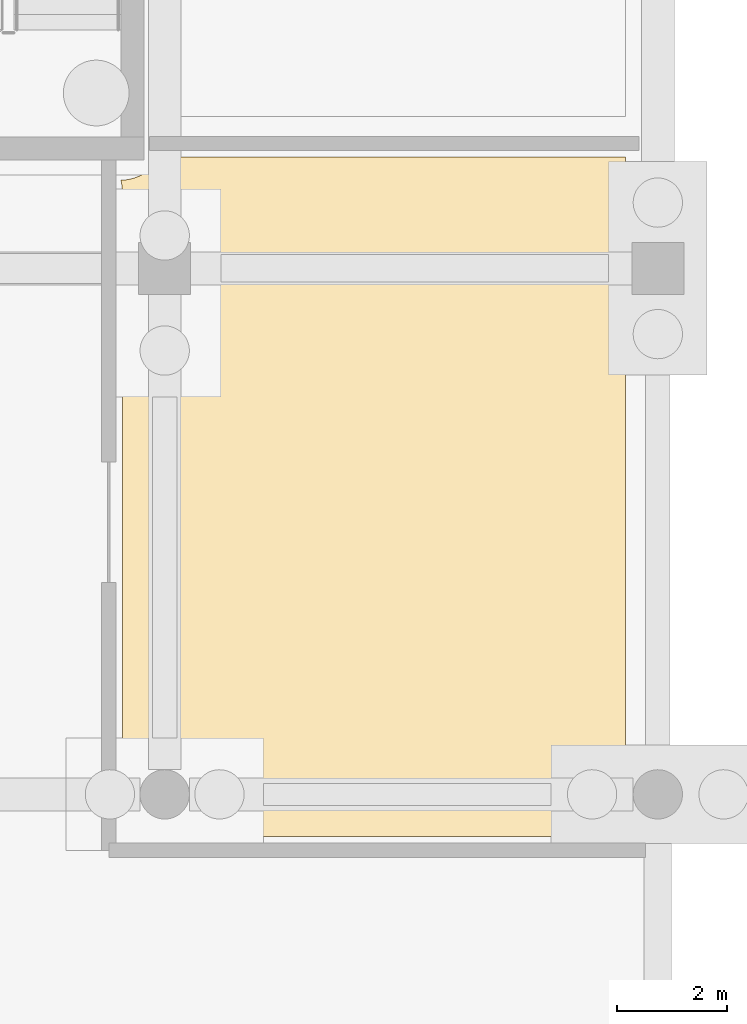
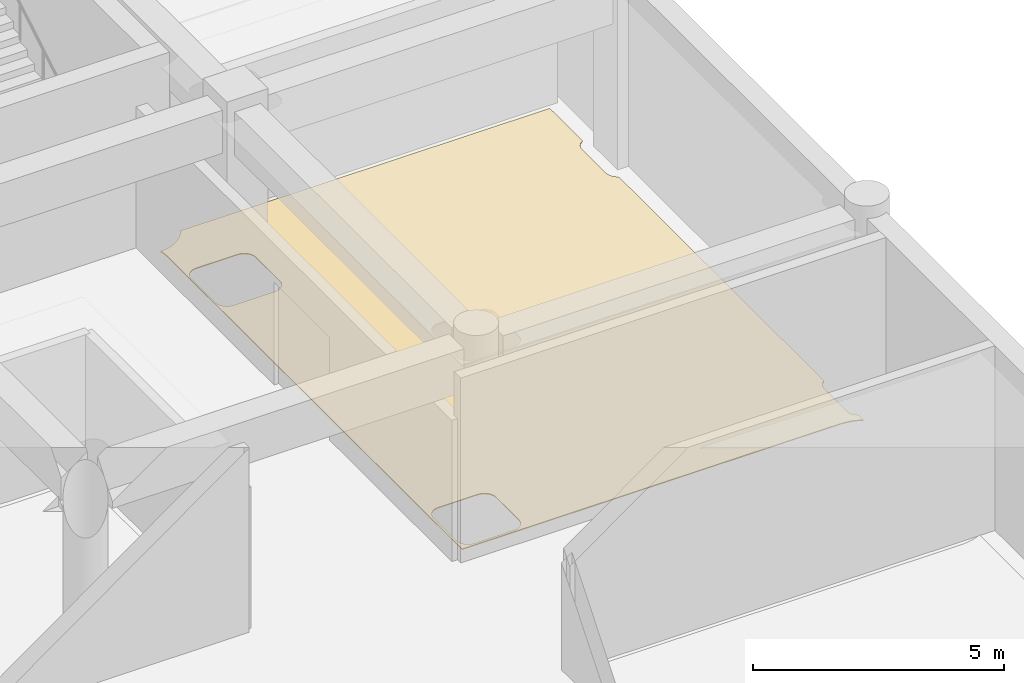
# One storey, part 45 of 47: 1 covering.
"""IFC4 building model written with IfcOpenShell, lengths in metres."""

from ifc_helpers import new_model, si_unit, direction, frame, origin, place, context, subcontext, project, spatial, polyline, outline, extrude, material, layer, layer_set, type_object, element, save


model = new_model("IFC4")

# Units and contexts
model_context = context("Model", 3, precision=1e-05, world=origin(), true_north=direction((0.0, 1.0)))
body_context = subcontext(model_context, "Body", "Model", "MODEL_VIEW")
ifc_project = project(units=[si_unit("LENGTHUNIT", "METRE"), si_unit("AREAUNIT", "SQUARE_METRE"), si_unit("VOLUMEUNIT", "CUBIC_METRE"), si_unit("PLANEANGLEUNIT", "RADIAN"), si_unit("MASSUNIT", "GRAM", prefix="KILO")], contexts=[model_context])

# Site, building, storey
site_placement = place(None, origin())
site = spatial("IfcSite", under=ifc_project, at=site_placement, CompositionType="ELEMENT")
building_placement = place(site_placement, origin())
building = spatial("IfcBuilding", under=site, at=building_placement, Name="Cendralis Terraced Arcade", CompositionType="ELEMENT")
storey_placement = place(building_placement, frame((0.0, 0.0, -4.800048828125)))
storey = spatial("IfcBuildingStorey", under=building, at=storey_placement, Name="B1", CompositionType="ELEMENT", Elevation=-4.800048828125)

# Covering
ifc_material = material(Name="Warm Andean oak timber", Category="wood")
ifc_layer = layer(ifc_material, 0.02197265625, Name="COV-FLR-OAK-22")
ifc_layer_set = layer_set([ifc_layer], Name="Warm Andean oak timber")
covering_type = type_object("IfcCoveringType", Name="COV-FLR-OAK-22", PredefinedType="FLOORING", material=ifc_layer_set)
covering_placement = place(storey_placement, origin())
element("IfcCovering", 1, at=covering_placement, inside=storey, type_object=covering_type, Name="Interior Finish Flooring B1-015", PredefinedType="FLOORING", context=body_context, shape_type="SweptSolid", body=[
    extrude(outline(polyline([(156.406005859375, 71.210205078125), (156.412109375, 71.210205078125), (156.418212890625, 71.21044921875), (156.459228515625, 71.21240234375), (156.4716796875, 71.21337890625), (156.4833984375, 71.214599609375), (156.49560546875, 71.216064453125), (156.5361328125, 71.22216796875), (156.54833984375, 71.22412109375), (156.559814453125, 71.2265625), (156.57177734375, 71.229248046875), (156.61181640625, 71.2392578125), (156.62353515625, 71.242431640625), (156.635009765625, 71.245849609375), (156.646484375, 71.249755859375), (156.685302734375, 71.263671875), (156.69677734375, 71.26806640625), (156.707763671875, 71.2724609375), (156.718994140625, 71.277587890625), (156.756103515625, 71.295166015625), (156.76708984375, 71.300537109375), (156.777587890625, 71.30615234375), (156.7880859375, 71.312255859375), (156.823486328125, 71.33349609375), (156.833984375, 71.340087890625), (156.84375, 71.346435546875), (156.853759765625, 71.353515625), (156.886962890625, 71.378173828125), (156.896484375, 71.3857421875), (156.905517578125, 71.393310546875), (156.914794921875, 71.401123046875), (156.945556640625, 71.428955078125), (156.954345703125, 71.437255859375), (156.962646484375, 71.44580078125), (156.97119140625, 71.45458984375), (156.998779296875, 71.485107421875), (157.0068359375, 71.494384765625), (157.014404296875, 71.50341796875), (157.02197265625, 71.51318359375), (157.04638671875, 71.54638671875), (157.053466796875, 71.556396484375), (157.06005859375, 71.566162109375), (157.066650390625, 71.576416015625), (157.087890625, 71.61181640625), (157.09375, 71.62255859375), (157.097900390625, 71.6298828125), (165.610107421875, 71.6298828125), (165.610107421875, 70.3193359375), (165.608642578125, 70.318603515625), (165.5869140625, 70.30712890625), (165.58544921875, 70.30615234375), (165.56494140625, 70.29248046875), (165.5634765625, 70.291259765625), (165.54443359375, 70.275634765625), (165.54296875, 70.2744140625), (165.525634765625, 70.257080078125), (165.5244140625, 70.255615234375), (165.5087890625, 70.236572265625), (165.507568359375, 70.235107421875), (165.493896484375, 70.214599609375), (165.492919921875, 70.212890625), (165.4814453125, 70.19140625), (165.48046875, 70.189453125), (165.47119140625, 70.1669921875), (165.470458984375, 70.1650390625), (165.46337890625, 70.1416015625), (165.462890625, 70.1396484375), (165.4580078125, 70.115478515625), (165.457763671875, 70.113525390625), (165.455322265625, 70.089111328125), (165.455322265625, 70.08740234375), (165.455078125, 70.074951171875), (165.455078125, 69.125), (165.455322265625, 69.11279296875), (165.455322265625, 69.11083984375), (165.457763671875, 69.08642578125), (165.4580078125, 69.08447265625), (165.462890625, 69.060302734375), (165.46337890625, 69.058349609375), (165.470458984375, 69.034912109375), (165.47119140625, 69.033203125), (165.48046875, 69.010498046875), (165.4814453125, 69.0087890625), (165.492919921875, 68.987060546875), (165.493896484375, 68.9853515625), (165.507568359375, 68.965087890625), (165.5087890625, 68.96337890625), (165.5244140625, 68.9443359375), (165.525634765625, 68.943115234375), (165.54296875, 68.925537109375), (165.54443359375, 68.92431640625), (165.5634765625, 68.90869140625), (165.56494140625, 68.90771484375), (165.58544921875, 68.893798828125), (165.5869140625, 68.892822265625), (165.608642578125, 68.88134765625), (165.610107421875, 68.880615234375), (165.610107421875, 60.680908203125), (165.590087890625, 60.66748046875), (165.58837890625, 60.666259765625), (165.5693359375, 60.650634765625), (165.568115234375, 60.6494140625), (165.550537109375, 60.632080078125), (165.54931640625, 60.630615234375), (165.53369140625, 60.611572265625), (165.53271484375, 60.610107421875), (165.518798828125, 60.589599609375), (165.517822265625, 60.587890625), (165.50634765625, 60.56640625), (165.505615234375, 60.564453125), (165.49609375, 60.5419921875), (165.49560546875, 60.5400390625), (165.48828125, 60.5166015625), (165.48779296875, 60.5146484375), (165.483154296875, 60.490478515625), (165.48291015625, 60.488525390625), (165.48046875, 60.464111328125), (165.480224609375, 60.46240234375), (165.47998046875, 60.449951171875), (165.47998046875, 59.550048828125), (165.480224609375, 59.53759765625), (165.48046875, 59.535888671875), (165.48291015625, 59.511474609375), (165.483154296875, 59.509521484375), (165.48779296875, 59.4853515625), (165.48828125, 59.4833984375), (165.49560546875, 59.4599609375), (165.49609375, 59.4580078125), (165.505615234375, 59.435546875), (165.50634765625, 59.43359375), (165.517822265625, 59.412109375), (165.518798828125, 59.410400390625), (165.53271484375, 59.389892578125), (165.53369140625, 59.388427734375), (165.54931640625, 59.369384765625), (165.550537109375, 59.367919921875), (165.568115234375, 59.3505859375), (165.5693359375, 59.349365234375), (165.58837890625, 59.333740234375), (165.590087890625, 59.33251953125), (165.610107421875, 59.319091796875), (165.610107421875, 59.115234375), (165.56689453125, 59.1357421875), (165.561279296875, 59.13818359375), (165.555908203125, 59.140625), (165.55029296875, 59.14306640625), (165.539306640625, 59.147705078125), (165.53369140625, 59.14990234375), (165.528076171875, 59.152099609375), (165.522216796875, 59.154296875), (165.465087890625, 59.1748046875), (165.459228515625, 59.1767578125), (165.45361328125, 59.178466796875), (165.44775390625, 59.180419921875), (165.4365234375, 59.183837890625), (165.4306640625, 59.185546875), (165.425048828125, 59.18701171875), (165.4189453125, 59.188720703125), (165.360107421875, 59.203369140625), (165.35400390625, 59.204833984375), (165.348388671875, 59.2060546875), (165.34228515625, 59.20751953125), (165.330810546875, 59.209716796875), (165.32470703125, 59.210693359375), (165.31884765625, 59.2119140625), (165.31298828125, 59.212890625), (165.252685546875, 59.2216796875), (165.24658203125, 59.222412109375), (165.24072265625, 59.223388671875), (165.234619140625, 59.223876953125), (165.222900390625, 59.22509765625), (165.216796875, 59.2255859375), (165.2109375, 59.22607421875), (165.204833984375, 59.226318359375), (165.14404296875, 59.2294921875), (165.14111328125, 59.2294921875), (165.137939453125, 59.2294921875), (165.135009765625, 59.229736328125), (165.129150390625, 59.22998046875), (165.1259765625, 59.22998046875), (165.123046875, 59.22998046875), (165.1201171875, 59.22998046875), (156.429931640625, 59.22998046875), (156.429931640625, 70.9599609375), (156.429931640625, 70.963134765625), (156.429931640625, 70.966064453125), (156.429931640625, 70.968994140625), (156.4296875, 70.97509765625), (156.4296875, 70.97802734375), (156.429443359375, 70.98095703125), (156.429443359375, 70.98388671875), (156.426513671875, 71.044921875), (156.426025390625, 71.05078125), (156.425537109375, 71.056884765625), (156.425048828125, 71.06298828125), (156.423828125, 71.07470703125), (156.42333984375, 71.080810546875), (156.422607421875, 71.086669921875), (156.421630859375, 71.0927734375), (156.412841796875, 71.15283203125), (156.411865234375, 71.158935546875), (156.410888671875, 71.164794921875), (156.40966796875, 71.170654296875), (156.407470703125, 71.182373046875), (156.406005859375, 71.188232421875), (156.40478515625, 71.194091796875), (156.4033203125, 71.199951171875), (156.40087890625, 71.2099609375), (156.406005859375, 71.210205078125)]), holes=[polyline([(156.608642578125, 68.88134765625), (156.610595703125, 68.880615234375), (156.633056640625, 68.87109375), (156.635009765625, 68.87060546875), (156.658447265625, 68.86328125), (156.660400390625, 68.86279296875), (156.684326171875, 68.858154296875), (156.686279296875, 68.85791015625), (156.710693359375, 68.85546875), (156.712646484375, 68.855224609375), (156.72509765625, 68.85498046875), (157.675048828125, 68.85498046875), (157.687255859375, 68.855224609375), (157.689208984375, 68.85546875), (157.713623046875, 68.85791015625), (157.715576171875, 68.858154296875), (157.739501953125, 68.86279296875), (157.74169921875, 68.86328125), (157.764892578125, 68.87060546875), (157.766845703125, 68.87109375), (157.78955078125, 68.880615234375), (157.791259765625, 68.88134765625), (157.81298828125, 68.892822265625), (157.814697265625, 68.893798828125), (157.8349609375, 68.90771484375), (157.836669921875, 68.90869140625), (157.855712890625, 68.92431640625), (157.85693359375, 68.925537109375), (157.87451171875, 68.943115234375), (157.875732421875, 68.9443359375), (157.891357421875, 68.96337890625), (157.892333984375, 68.965087890625), (157.906005859375, 68.9853515625), (157.906982421875, 68.987060546875), (157.918701171875, 69.0087890625), (157.91943359375, 69.010498046875), (157.928955078125, 69.033203125), (157.929443359375, 69.034912109375), (157.9365234375, 69.058349609375), (157.93701171875, 69.060302734375), (157.94189453125, 69.08447265625), (157.942138671875, 69.08642578125), (157.944580078125, 69.11083984375), (157.944580078125, 69.11279296875), (157.945068359375, 69.125), (157.945068359375, 70.074951171875), (157.944580078125, 70.08740234375), (157.944580078125, 70.089111328125), (157.942138671875, 70.113525390625), (157.94189453125, 70.115478515625), (157.93701171875, 70.1396484375), (157.9365234375, 70.1416015625), (157.929443359375, 70.1650390625), (157.928955078125, 70.1669921875), (157.91943359375, 70.189453125), (157.918701171875, 70.19140625), (157.906982421875, 70.212890625), (157.906005859375, 70.214599609375), (157.892333984375, 70.235107421875), (157.891357421875, 70.236572265625), (157.875732421875, 70.255615234375), (157.87451171875, 70.257080078125), (157.85693359375, 70.2744140625), (157.855712890625, 70.275634765625), (157.836669921875, 70.291259765625), (157.8349609375, 70.29248046875), (157.814697265625, 70.30615234375), (157.81298828125, 70.30712890625), (157.791259765625, 70.318603515625), (157.78955078125, 70.319580078125), (157.766845703125, 70.328857421875), (157.764892578125, 70.32958984375), (157.74169921875, 70.336669921875), (157.739501953125, 70.337158203125), (157.715576171875, 70.341796875), (157.713623046875, 70.34228515625), (157.689208984375, 70.344482421875), (157.687255859375, 70.3447265625), (157.675048828125, 70.344970703125), (156.72509765625, 70.344970703125), (156.712646484375, 70.3447265625), (156.710693359375, 70.344482421875), (156.686279296875, 70.34228515625), (156.684326171875, 70.341796875), (156.660400390625, 70.337158203125), (156.658447265625, 70.336669921875), (156.635009765625, 70.32958984375), (156.633056640625, 70.328857421875), (156.610595703125, 70.319580078125), (156.608642578125, 70.318603515625), (156.5869140625, 70.30712890625), (156.58544921875, 70.30615234375), (156.56494140625, 70.29248046875), (156.5634765625, 70.291259765625), (156.54443359375, 70.275634765625), (156.54296875, 70.2744140625), (156.525634765625, 70.257080078125), (156.5244140625, 70.255615234375), (156.5087890625, 70.236572265625), (156.507568359375, 70.235107421875), (156.493896484375, 70.214599609375), (156.492919921875, 70.212890625), (156.4814453125, 70.19140625), (156.48046875, 70.189453125), (156.47119140625, 70.1669921875), (156.470458984375, 70.1650390625), (156.46337890625, 70.1416015625), (156.462890625, 70.1396484375), (156.4580078125, 70.115478515625), (156.457763671875, 70.113525390625), (156.455322265625, 70.089111328125), (156.455322265625, 70.08740234375), (156.455078125, 70.074951171875), (156.455078125, 69.125), (156.455322265625, 69.11279296875), (156.455322265625, 69.11083984375), (156.457763671875, 69.08642578125), (156.4580078125, 69.08447265625), (156.462890625, 69.060302734375), (156.46337890625, 69.058349609375), (156.470458984375, 69.034912109375), (156.47119140625, 69.033203125), (156.48046875, 69.010498046875), (156.4814453125, 69.0087890625), (156.492919921875, 68.987060546875), (156.493896484375, 68.9853515625), (156.507568359375, 68.965087890625), (156.5087890625, 68.96337890625), (156.5244140625, 68.9443359375), (156.525634765625, 68.943115234375), (156.54296875, 68.925537109375), (156.54443359375, 68.92431640625), (156.5634765625, 68.90869140625), (156.56494140625, 68.90771484375), (156.58544921875, 68.893798828125), (156.5869140625, 68.892822265625), (156.608642578125, 68.88134765625)]), polyline([(156.6337890625, 59.306396484375), (156.635498046875, 59.305419921875), (156.658203125, 59.296142578125), (156.659912109375, 59.29541015625), (156.683349609375, 59.288330078125), (156.685302734375, 59.287841796875), (156.70947265625, 59.283203125), (156.71142578125, 59.28271484375), (156.73583984375, 59.280517578125), (156.73779296875, 59.2802734375), (156.75, 59.280029296875), (157.64990234375, 59.280029296875), (157.662353515625, 59.2802734375), (157.664306640625, 59.280517578125), (157.688720703125, 59.28271484375), (157.690673828125, 59.283203125), (157.714599609375, 59.287841796875), (157.716552734375, 59.288330078125), (157.739990234375, 59.29541015625), (157.741943359375, 59.296142578125), (157.764404296875, 59.305419921875), (157.766357421875, 59.306396484375), (157.7880859375, 59.31787109375), (157.78955078125, 59.31884765625), (157.81005859375, 59.33251953125), (157.8115234375, 59.333740234375), (157.83056640625, 59.349365234375), (157.83203125, 59.3505859375), (157.849365234375, 59.367919921875), (157.8505859375, 59.369384765625), (157.8662109375, 59.388427734375), (157.867431640625, 59.389892578125), (157.881103515625, 59.410400390625), (157.882080078125, 59.412109375), (157.8935546875, 59.43359375), (157.89453125, 59.435546875), (157.90380859375, 59.4580078125), (157.904541015625, 59.4599609375), (157.91162109375, 59.4833984375), (157.912109375, 59.4853515625), (157.9169921875, 59.509521484375), (157.917236328125, 59.511474609375), (157.919677734375, 59.535888671875), (157.919677734375, 59.53759765625), (157.919921875, 59.550048828125), (157.919921875, 60.449951171875), (157.919677734375, 60.46240234375), (157.919677734375, 60.464111328125), (157.917236328125, 60.488525390625), (157.9169921875, 60.490478515625), (157.912109375, 60.5146484375), (157.91162109375, 60.5166015625), (157.904541015625, 60.5400390625), (157.90380859375, 60.5419921875), (157.89453125, 60.564453125), (157.8935546875, 60.56640625), (157.882080078125, 60.587890625), (157.881103515625, 60.589599609375), (157.867431640625, 60.610107421875), (157.8662109375, 60.611572265625), (157.8505859375, 60.630615234375), (157.849365234375, 60.632080078125), (157.83203125, 60.6494140625), (157.83056640625, 60.650634765625), (157.8115234375, 60.666259765625), (157.81005859375, 60.66748046875), (157.78955078125, 60.68115234375), (157.7880859375, 60.68212890625), (157.766357421875, 60.693603515625), (157.764404296875, 60.694580078125), (157.741943359375, 60.703857421875), (157.739990234375, 60.70458984375), (157.716552734375, 60.711669921875), (157.714599609375, 60.712158203125), (157.690673828125, 60.716796875), (157.688720703125, 60.71728515625), (157.664306640625, 60.719482421875), (157.662353515625, 60.7197265625), (157.64990234375, 60.719970703125), (156.75, 60.719970703125), (156.73779296875, 60.7197265625), (156.73583984375, 60.719482421875), (156.71142578125, 60.71728515625), (156.70947265625, 60.716796875), (156.685302734375, 60.712158203125), (156.683349609375, 60.711669921875), (156.659912109375, 60.70458984375), (156.658203125, 60.703857421875), (156.635498046875, 60.694580078125), (156.6337890625, 60.693603515625), (156.612060546875, 60.68212890625), (156.6103515625, 60.68115234375), (156.590087890625, 60.66748046875), (156.58837890625, 60.666259765625), (156.5693359375, 60.650634765625), (156.568115234375, 60.6494140625), (156.550537109375, 60.632080078125), (156.54931640625, 60.630615234375), (156.53369140625, 60.611572265625), (156.53271484375, 60.610107421875), (156.518798828125, 60.589599609375), (156.517822265625, 60.587890625), (156.50634765625, 60.56640625), (156.505615234375, 60.564453125), (156.49609375, 60.5419921875), (156.49560546875, 60.5400390625), (156.48828125, 60.5166015625), (156.48779296875, 60.5146484375), (156.483154296875, 60.490478515625), (156.48291015625, 60.488525390625), (156.48046875, 60.464111328125), (156.480224609375, 60.46240234375), (156.47998046875, 60.449951171875), (156.47998046875, 59.550048828125), (156.480224609375, 59.53759765625), (156.48046875, 59.535888671875), (156.48291015625, 59.511474609375), (156.483154296875, 59.509521484375), (156.48779296875, 59.4853515625), (156.48828125, 59.4833984375), (156.49560546875, 59.4599609375), (156.49609375, 59.4580078125), (156.505615234375, 59.435546875), (156.50634765625, 59.43359375), (156.517822265625, 59.412109375), (156.518798828125, 59.410400390625), (156.53271484375, 59.389892578125), (156.53369140625, 59.388427734375), (156.54931640625, 59.369384765625), (156.550537109375, 59.367919921875), (156.568115234375, 59.3505859375), (156.5693359375, 59.349365234375), (156.58837890625, 59.333740234375), (156.590087890625, 59.33251953125), (156.6103515625, 59.31884765625), (156.612060546875, 59.31787109375), (156.6337890625, 59.306396484375)])]), origin(), (0.0, 0.0, 1.0), 0.02197265625),
])

save(model, "model.ifc")
